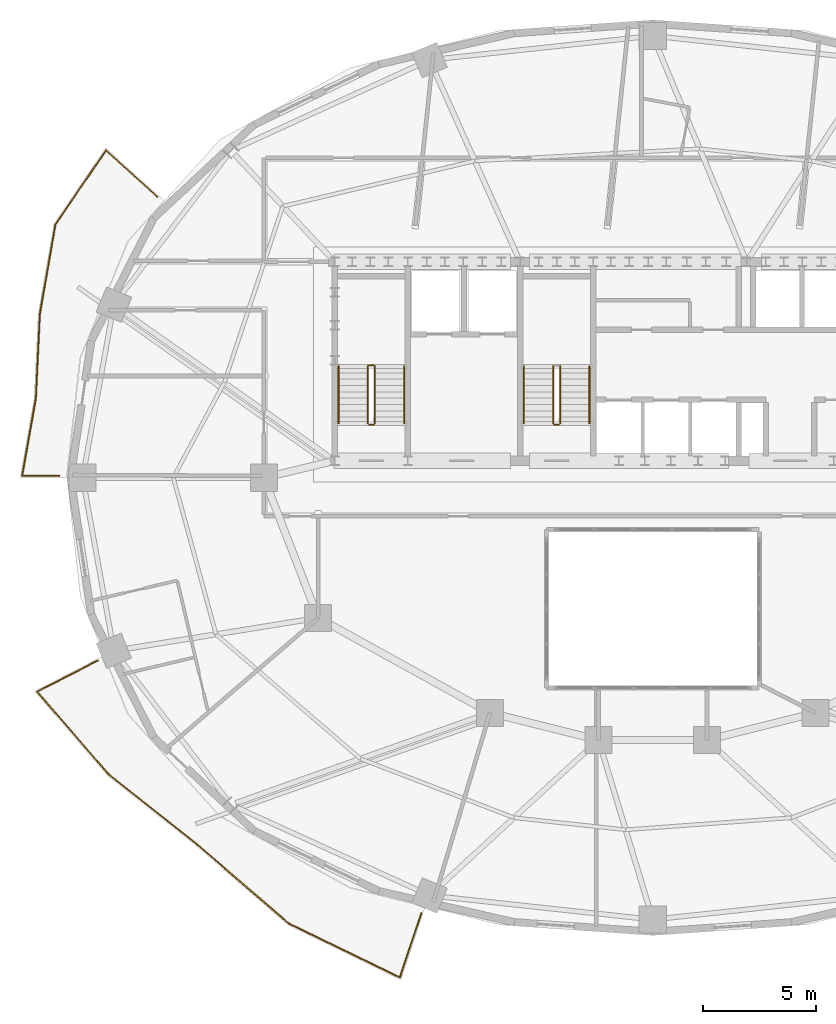
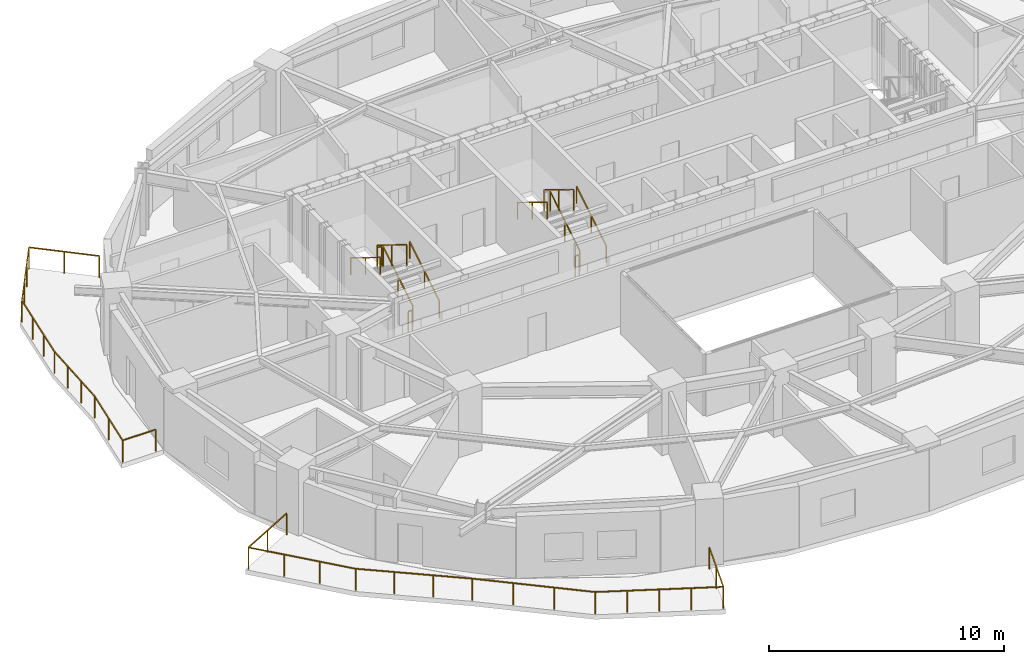
# One storey, part 10 of 13: 13 railings.
"""IFC4 building model written with IfcOpenShell, lengths in metres."""

import ifcopenshell
import ifcopenshell.guid

model = None  # the IFC model being written
_history = None  # IfcOwnerHistory: only IFC2X3 demands one
_inside = {}  # id of a spatial element -> (the spatial element, [elements in it])
_under = {}  # id of a project, library or spatial element -> (it, [spatial elements below it])
_declared = {}  # id of a project -> (the project, [libraries it declares])
_typed = {}  # id of a type object -> (the type object, [elements of that type])
_made_of = {}  # id of a material, layer set ... -> (it, [elements and type objects made of it])


def new_model(schema):
    """Start an empty IFC model of exactly this schema.

    Asked for "IFC4X3", IfcOpenShell would pick the latest addendum, in which some entities
    have other attributes; the version numbers below select the first issue.
    IFC2X3 requires an IfcOwnerHistory on every rooted entity: one is made here for all.
    """
    global model, _history
    if schema == "IFC4X3":
        model = ifcopenshell.file(schema_version=(4, 3, 0, 0))
    else:
        model = ifcopenshell.file(schema=schema)
    _inside.clear()
    _under.clear()
    _declared.clear()
    _typed.clear()
    _made_of.clear()
    _history = None
    if model.schema == "IFC2X3":
        org = make("IfcOrganization", Name="unknown")
        user = make(
            "IfcPersonAndOrganization",
            ThePerson=make("IfcPerson", FamilyName="unknown"),
            TheOrganization=org,
        )
        app = make(
            "IfcApplication",
            ApplicationDeveloper=org,
            Version="unknown",
            ApplicationFullName="unknown",
            ApplicationIdentifier="unknown",
        )
        _history = make(
            "IfcOwnerHistory",
            OwningUser=user,
            OwningApplication=app,
            ChangeAction="ADDED",
            CreationDate=0,
        )
    return model


def make(cls, **values):
    """One entity of the class cls with the attributes given. An attribute that is None is left unset."""
    return model.create_entity(
        cls, **{name: value for name, value in values.items() if value is not None}
    )


def rooted(cls, **values):
    """An entity with a GlobalId (a new one), such as an element, a storey or a relation."""
    return make(cls, GlobalId=ifcopenshell.guid.new(), OwnerHistory=_history, **values)


def si_unit(unit_type, name, prefix=None):
    """IfcSIUnit, for example si_unit("LENGTHUNIT", "METRE", prefix="MILLI")."""
    return make("IfcSIUnit", UnitType=unit_type, Prefix=prefix, Name=name)


def assignment(units):
    """IfcUnitAssignment: the units of a project."""
    return None if units is None else make("IfcUnitAssignment", Units=units)


def point(xyz):
    """IfcCartesianPoint."""
    return None if xyz is None else make("IfcCartesianPoint", Coordinates=xyz)


def direction(xyz):
    """IfcDirection."""
    return None if xyz is None else make("IfcDirection", DirectionRatios=xyz)


def frame(location, z_axis=None, x_axis=None):
    """IfcAxis2Placement3D, a coordinate frame: its origin and axes. An axis left out is left unset."""
    return make(
        "IfcAxis2Placement3D",
        Location=point(location),
        Axis=direction(z_axis),
        RefDirection=direction(x_axis),
    )


def frame_2d(location, x_axis=None):
    """IfcAxis2Placement2D, a coordinate frame in the plane: its origin and x axis."""
    return make(
        "IfcAxis2Placement2D", Location=point(location), RefDirection=direction(x_axis)
    )


def origin():
    """The frame at (0, 0, 0) with its axes left unset."""
    return frame((0.0, 0.0, 0.0))


def origin_2d():
    """The frame at (0, 0) in the plane with its x axis left unset."""
    return frame_2d((0.0, 0.0))


def place(relative_to, where):
    """IfcLocalPlacement: puts the frame where relative to a parent placement (None: the world)."""
    return make(
        "IfcLocalPlacement", PlacementRelTo=relative_to, RelativePlacement=where
    )


def context(
    kind, dimensions, precision=None, world=None, true_north=None, identifier=None
):
    """IfcGeometricRepresentationContext, for example the 3D "Model" context."""
    return make(
        "IfcGeometricRepresentationContext",
        ContextIdentifier=identifier,
        ContextType=kind,
        CoordinateSpaceDimension=dimensions,
        Precision=precision,
        WorldCoordinateSystem=world,
        TrueNorth=true_north,
    )


def subcontext(parent, identifier, kind, view, scale=None):
    """IfcGeometricRepresentationSubContext, for example "Body" below "Model"."""
    return make(
        "IfcGeometricRepresentationSubContext",
        ContextIdentifier=identifier,
        ContextType=kind,
        ParentContext=parent,
        TargetScale=scale,
        TargetView=view,
    )


def project(units=None, contexts=None):
    """IfcProject with its units and contexts."""
    return rooted(
        "IfcProject",
        Name="project",
        RepresentationContexts=contexts,
        UnitsInContext=assignment(units),
    )


def spatial(cls, under=None, at=None, **own):
    """A site, building, storey or space (cls), placed at a placement, below another one or the project."""
    s = rooted(cls, ObjectPlacement=at, **own)
    if under is not None:
        _under.setdefault(under.id(), (under, []))[1].append(s)
    return s


def profile(cls, at=None, kind="AREA", **sizes):
    """A parametric profile (cls). Its sizes go by their IFC names, for example OverallWidth=200.0."""
    return make(cls, ProfileType=kind, Position=at, **sizes)


def rectangle(**sizes):
    """IfcRectangleProfileDef."""
    return profile("IfcRectangleProfileDef", **sizes)


def extrude(swept, where, along, depth):
    """IfcExtrudedAreaSolid: the profile swept, set in the frame where, extruded along a direction by depth."""
    return make(
        "IfcExtrudedAreaSolid",
        SweptArea=swept,
        Position=where,
        ExtrudedDirection=direction(along),
        Depth=depth,
    )


def shape(context_of_items, identifier, shape_type, items):
    """IfcShapeRepresentation: the items that make up one representation, for example the "Body"."""
    return make(
        "IfcShapeRepresentation",
        ContextOfItems=context_of_items,
        RepresentationIdentifier=identifier,
        RepresentationType=shape_type,
        Items=items,
    )


def material(Name=None, Category=None):
    """IfcMaterial."""
    return make("IfcMaterial", Name=Name, Category=Category)


def made_of(thing, what):
    """Note that an element or type object is made of a material, layer set ...; save() writes the relation."""
    if what is not None:
        _made_of.setdefault(what.id(), (what, []))[1].append(thing)
    return thing


def type_object(cls, material=None, **own):
    """A type object (cls), such as IfcWallType, which elements share."""
    return made_of(rooted(cls, **own), material)


def element(
    cls,
    number,
    at=None,
    inside=None,
    cuts=None,
    type_object=None,
    material=None,
    context=None,
    identifier="Body",
    shape_type=None,
    held_by="IfcProductDefinitionShape",
    body=None,
    shapes=None,
    **own,
):
    """One element of the class cls, such as IfcWall. Its Tag is "e" and its number.

    at: its placement. inside: the storey or other place that contains it. cuts: it is an
    opening in that element (IfcRelVoidsElement). A single representation is given by context,
    identifier, shape_type and body (its items); several are given by shapes. held_by: the class
    of the entity that holds the representations. save() writes the other relations.
    """
    e = rooted(cls, Tag="e%d" % number, ObjectPlacement=at, **own)
    if body is not None:
        shapes = [shape(context, identifier, shape_type, body)]
    if shapes is not None:
        e.Representation = make(held_by, Representations=shapes)
    if inside is not None:
        _inside.setdefault(inside.id(), (inside, []))[1].append(e)
    if cuts is not None:
        rooted(
            "IfcRelVoidsElement", RelatingBuildingElement=cuts, RelatedOpeningElement=e
        )
    if type_object is not None:
        _typed.setdefault(type_object.id(), (type_object, []))[1].append(e)
    return made_of(e, material)


def aggregate(whole, parts):
    """IfcRelAggregates: a whole, such as a stair, and the parts it consists of."""
    return rooted("IfcRelAggregates", RelatingObject=whole, RelatedObjects=parts)


def save(model, path):
    """Write the relations noted so far, then the file.

    IfcRelAggregates (storeys below a building ...), IfcRelContainedInSpatialStructure (elements
    in a storey), IfcRelDefinesByType, IfcRelAssociatesMaterial and IfcRelDeclares: one each for
    every whole, place, type object, material and project.
    """
    for whole, parts in _under.values():
        aggregate(whole, parts)
    for where, things in _inside.values():
        rooted(
            "IfcRelContainedInSpatialStructure",
            RelatedElements=things,
            RelatingStructure=where,
        )
    for kind, things in _typed.values():
        rooted("IfcRelDefinesByType", RelatedObjects=things, RelatingType=kind)
    for what, things in _made_of.values():
        rooted("IfcRelAssociatesMaterial", RelatedObjects=things, RelatingMaterial=what)
    for by, libraries in _declared.values():
        rooted("IfcRelDeclares", RelatingContext=by, RelatedDefinitions=libraries)
    model.write(path)


model = new_model("IFC4")

# Units and contexts
model_context = context("Model", 3, precision=1e-05, world=origin(), true_north=direction((0.0, 1.0)))
body_context = subcontext(model_context, "Body", "Model", "MODEL_VIEW")
ifc_project = project(units=[si_unit("LENGTHUNIT", "METRE"), si_unit("AREAUNIT", "SQUARE_METRE"), si_unit("VOLUMEUNIT", "CUBIC_METRE"), si_unit("PLANEANGLEUNIT", "RADIAN"), si_unit("MASSUNIT", "GRAM", prefix="KILO")], contexts=[model_context])

# Site, building, storey
site_placement = place(None, origin())
site = spatial("IfcSite", under=ifc_project, at=site_placement, CompositionType="ELEMENT")
building_placement = place(site_placement, origin())
building = spatial("IfcBuilding", under=site, at=building_placement, Name="Haldorwick Loom Tower", CompositionType="ELEMENT")
storey_placement = place(building_placement, frame((0.0, 0.0, 175.14990234375)))
storey = spatial("IfcBuildingStorey", under=building, at=storey_placement, Name="L47", CompositionType="ELEMENT", Elevation=175.14990234375)

# Railings
ifc_material_1 = material(Name="Galvanized Steel CSA G40.21 350W", Category="steel")
railing_type_1 = type_object("IfcRailingType", Name="ARC-RLG-BAL115", PredefinedType="BALUSTRADE", material=ifc_material_1)
railing_1_placement = place(storey_placement, frame((25.756591796875, 6.728515625, 0.0)))
element("IfcRailing", 1, at=railing_1_placement, inside=storey, type_object=railing_type_1, Name="L47 Outdoor Terrace Guardrail SLB-L47-BAL_SW-1", PredefinedType="BALUSTRADE", context=body_context, shape_type="SweptSolid", body=[
    extrude(rectangle(XDim=0.048095703125, YDim=0.048095703125, at=origin_2d()), frame((0.0, 0.0, 1.1259765625), z_axis=(-0.316522037821, -0.948585156733, 0.0), x_axis=(0.948585156733, -0.316522037821, 0.0)), (0.0, 0.0, 1.0), 2.986572265625),
    extrude(rectangle(XDim=0.048095703125, YDim=0.048095703125, at=origin_2d()), frame((-0.9453125, -2.8330078125, 1.1259765625), z_axis=(-0.899116897768, 0.43770858359, 0.0), x_axis=(-0.43770858359, -0.899116897768, 0.0)), (0.0, 0.0, 1.0), 5.469970703125),
    extrude(rectangle(XDim=0.048095703125, YDim=0.048095703125, at=origin_2d()), frame((-5.863525390625, -0.438720703125, 1.1259765625), z_axis=(-0.757220744918, 0.653159049134, 0.0), x_axis=(-0.653159049134, -0.757220744918, 0.0)), (0.0, 0.0, 1.0), 5.32568359375),
    extrude(rectangle(XDim=0.048095703125, YDim=0.048095703125, at=origin_2d()), frame((-9.896240234375, 3.039794921875, 1.1259765625), z_axis=(-0.773957299203, 0.633237790257, 0.0), x_axis=(-0.633237790257, -0.773957299203, 0.0)), (0.0, 0.0, 1.0), 0.00341796875),
    extrude(rectangle(XDim=0.048095703125, YDim=0.048095703125, at=origin_2d()), frame((-9.89892578125, 3.0419921875, 1.1259765625), z_axis=(-0.783726636091, 0.621105916798, 0.0), x_axis=(-0.621105916798, -0.783726636091, 0.0)), (0.0, 0.0, 1.0), 5.01123046875),
    extrude(rectangle(XDim=0.048095703125, YDim=0.048095703125, at=origin_2d()), frame((-13.826416015625, 6.154541015625, 1.1259765625), z_axis=(-0.654367841929, 0.756176386466, 0.0), x_axis=(-0.756176386466, -0.654367841929, 0.0)), (0.0, 0.0, 1.0), 4.824951171875),
    extrude(rectangle(XDim=0.048095703125, YDim=0.048095703125, at=origin_2d()), frame((-16.983642578125, 9.802978515625, 1.1259765625), z_axis=(0.888510792564, 0.458855719695, 0.0), x_axis=(-0.458855719695, 0.888510792564, 0.0)), (0.0, 0.0, 1.0), 3.009765625),
    extrude(rectangle(XDim=0.0419921875, YDim=0.0419921875, at=origin_2d()), origin(), (0.0, 0.0, 1.0), 1.101806640625),
    extrude(rectangle(XDim=0.0419921875, YDim=0.0419921875, at=origin_2d()), frame((-0.47265625, -1.41650390625, 0.0)), (0.0, 0.0, 1.0), 1.101806640625),
    extrude(rectangle(XDim=0.0419921875, YDim=0.0419921875, at=origin_2d()), frame((-0.9453125, -2.8330078125, 0.0)), (0.0, 0.0, 1.0), 1.101806640625),
    extrude(rectangle(XDim=0.0419921875, YDim=0.0419921875, at=origin_2d()), frame((-2.1748046875, -2.234375, 0.0)), (0.0, 0.0, 1.0), 1.101806640625),
    extrude(rectangle(XDim=0.0419921875, YDim=0.0419921875, at=origin_2d()), frame((-3.404296875, -1.6357421875, 0.0)), (0.0, 0.0, 1.0), 1.101806640625),
    extrude(rectangle(XDim=0.0419921875, YDim=0.0419921875, at=origin_2d()), frame((-4.634033203125, -1.037353515625, 0.0)), (0.0, 0.0, 1.0), 1.101806640625),
    extrude(rectangle(XDim=0.0419921875, YDim=0.0419921875, at=origin_2d()), frame((-5.863525390625, -0.438720703125, 0.0)), (0.0, 0.0, 1.0), 1.101806640625),
    extrude(rectangle(XDim=0.0419921875, YDim=0.0419921875, at=origin_2d()), frame((-7.207763671875, 0.720703125, 0.0)), (0.0, 0.0, 1.0), 1.101806640625),
    extrude(rectangle(XDim=0.0419921875, YDim=0.0419921875, at=origin_2d()), frame((-8.552001953125, 1.88037109375, 0.0)), (0.0, 0.0, 1.0), 1.101806640625),
    extrude(rectangle(XDim=0.0419921875, YDim=0.0419921875, at=origin_2d()), frame((-9.896240234375, 3.039794921875, 0.0)), (0.0, 0.0, 1.0), 1.101806640625),
    extrude(rectangle(XDim=0.0419921875, YDim=0.0419921875, at=origin_2d()), frame((-11.2080078125, 4.07958984375, 0.0)), (0.0, 0.0, 1.0), 1.101806640625),
    extrude(rectangle(XDim=0.0419921875, YDim=0.0419921875, at=origin_2d()), frame((-12.517333984375, 5.116943359375, 0.0)), (0.0, 0.0, 1.0), 1.101806640625),
    extrude(rectangle(XDim=0.0419921875, YDim=0.0419921875, at=origin_2d()), frame((-13.826416015625, 6.154541015625, 0.0)), (0.0, 0.0, 1.0), 1.101806640625),
    extrude(rectangle(XDim=0.0419921875, YDim=0.0419921875, at=origin_2d()), frame((-14.87890625, 7.37060546875, 0.0)), (0.0, 0.0, 1.0), 1.101806640625),
    extrude(rectangle(XDim=0.0419921875, YDim=0.0419921875, at=origin_2d()), frame((-15.93115234375, 8.5869140625, 0.0)), (0.0, 0.0, 1.0), 1.101806640625),
    extrude(rectangle(XDim=0.0419921875, YDim=0.0419921875, at=origin_2d()), frame((-16.983642578125, 9.802978515625, 0.0)), (0.0, 0.0, 1.0), 1.101806640625),
    extrude(rectangle(XDim=0.0419921875, YDim=0.0419921875, at=origin_2d()), frame((-15.646484375, 10.49365234375, 0.0)), (0.0, 0.0, 1.0), 1.101806640625),
    extrude(rectangle(XDim=0.0419921875, YDim=0.0419921875, at=origin_2d()), frame((-14.309326171875, 11.18408203125, 0.0)), (0.0, 0.0, 1.0), 1.101806640625),
])
railing_2_placement = place(storey_placement, frame((9.73974609375, 26.080078125, 0.0)))
element("IfcRailing", 2, at=railing_2_placement, inside=storey, type_object=railing_type_1, Name="L47 Outdoor Terrace Guardrail SLB-L47-BAL_WNW-1", PredefinedType="BALUSTRADE", context=body_context, shape_type="SweptSolid", body=[
    extrude(rectangle(XDim=0.048095703125, YDim=0.048095703125, at=origin_2d()), frame((0.0, 0.0, 1.1259765625), z_axis=(-1.0, 0.0, 0.0), x_axis=(0.0, -1.0, 0.0)), (0.0, 0.0, 1.0), 1.633056640625),
    extrude(rectangle(XDim=0.048095703125, YDim=0.048095703125, at=origin_2d()), frame((-1.633056640625, 0.0, 1.1259765625), z_axis=(0.174402362104, 0.984674472144, 0.0), x_axis=(-0.984674472144, 0.174402362104, 0.0)), (0.0, 0.0, 1.0), 3.475830078125),
    extrude(rectangle(XDim=0.048095703125, YDim=0.048095703125, at=origin_2d()), frame((-1.02685546875, 3.422607421875, 1.1259765625), z_axis=(0.118212889785, 0.992988274195, 0.0), x_axis=(-0.992988274195, 0.118212889785, 0.0)), (0.0, 0.0, 1.0), 0.01025390625),
    extrude(rectangle(XDim=0.048095703125, YDim=0.048095703125, at=origin_2d()), frame((-1.025634765625, 3.432861328125, 1.1259765625), z_axis=(0.047350743594, 0.998878324463, 0.0), x_axis=(-0.998878324463, 0.047350743594, 0.0)), (0.0, 0.0, 1.0), 3.73291015625),
    extrude(rectangle(XDim=0.048095703125, YDim=0.048095703125, at=origin_2d()), frame((-0.848876953125, 7.16162109375, 1.1259765625), z_axis=(0.171625353709, 0.985162290166, 0.0), x_axis=(-0.985162290166, 0.171625353709, 0.0)), (0.0, 0.0, 1.0), 4.0244140625),
    extrude(rectangle(XDim=0.048095703125, YDim=0.048095703125, at=origin_2d()), frame((-0.158203125, 11.126220703125, 1.1259765625), z_axis=(0.563872418529, 0.825861910747, 0.0), x_axis=(-0.825861910747, 0.563872418529, 0.0)), (0.0, 0.0, 1.0), 3.95947265625),
    extrude(rectangle(XDim=0.048095703125, YDim=0.048095703125, at=origin_2d()), frame((2.074462890625, 14.396240234375, 1.1259765625), z_axis=(0.741530121313, -0.670919577286, 0.0), x_axis=(0.670919577286, 0.741530121313, 0.0)), (0.0, 0.0, 1.0), 3.06689453125),
    extrude(rectangle(XDim=0.0419921875, YDim=0.0419921875, at=origin_2d()), origin(), (0.0, 0.0, 1.0), 1.101806640625),
    extrude(rectangle(XDim=0.0419921875, YDim=0.0419921875, at=origin_2d()), frame((-1.633056640625, 0.0, 0.0)), (0.0, 0.0, 1.0), 1.101806640625),
    extrude(rectangle(XDim=0.0419921875, YDim=0.0419921875, at=origin_2d()), frame((-1.330078125, 1.71142578125, 0.0)), (0.0, 0.0, 1.0), 1.101806640625),
    extrude(rectangle(XDim=0.0419921875, YDim=0.0419921875, at=origin_2d()), frame((-1.02685546875, 3.422607421875, 0.0)), (0.0, 0.0, 1.0), 1.101806640625),
    extrude(rectangle(XDim=0.0419921875, YDim=0.0419921875, at=origin_2d()), frame((-0.966796875, 4.67578125, 0.0)), (0.0, 0.0, 1.0), 1.101806640625),
    extrude(rectangle(XDim=0.0419921875, YDim=0.0419921875, at=origin_2d()), frame((-0.90771484375, 5.918701171875, 0.0)), (0.0, 0.0, 1.0), 1.101806640625),
    extrude(rectangle(XDim=0.0419921875, YDim=0.0419921875, at=origin_2d()), frame((-0.848876953125, 7.16162109375, 0.0)), (0.0, 0.0, 1.0), 1.101806640625),
    extrude(rectangle(XDim=0.0419921875, YDim=0.0419921875, at=origin_2d()), frame((-0.61865234375, 8.483154296875, 0.0)), (0.0, 0.0, 1.0), 1.101806640625),
    extrude(rectangle(XDim=0.0419921875, YDim=0.0419921875, at=origin_2d()), frame((-0.388427734375, 9.8046875, 0.0)), (0.0, 0.0, 1.0), 1.101806640625),
    extrude(rectangle(XDim=0.0419921875, YDim=0.0419921875, at=origin_2d()), frame((-0.158203125, 11.126220703125, 0.0)), (0.0, 0.0, 1.0), 1.101806640625),
    extrude(rectangle(XDim=0.0419921875, YDim=0.0419921875, at=origin_2d()), frame((0.5859375, 12.21630859375, 0.0)), (0.0, 0.0, 1.0), 1.101806640625),
    extrude(rectangle(XDim=0.0419921875, YDim=0.0419921875, at=origin_2d()), frame((1.330322265625, 13.30615234375, 0.0)), (0.0, 0.0, 1.0), 1.101806640625),
    extrude(rectangle(XDim=0.0419921875, YDim=0.0419921875, at=origin_2d()), frame((2.074462890625, 14.396240234375, 0.0)), (0.0, 0.0, 1.0), 1.101806640625),
    extrude(rectangle(XDim=0.0419921875, YDim=0.0419921875, at=origin_2d()), frame((3.21142578125, 13.367431640625, 0.0)), (0.0, 0.0, 1.0), 1.101806640625),
    extrude(rectangle(XDim=0.0419921875, YDim=0.0419921875, at=origin_2d()), frame((4.3486328125, 12.338623046875, 0.0)), (0.0, 0.0, 1.0), 1.101806640625),
])
ifc_material_2 = material(Name="Steel CSA G40.21 350W", Category="steel")
railing_type_2 = type_object("IfcRailingType", Name="ARC-RLG-GUARD112", PredefinedType="GUARDRAIL", material=ifc_material_2)
railing_3_placement = place(storey_placement, frame((23.699951171875, 28.39990234375, 0.172607421875)))
element("IfcRailing", 3, at=railing_3_placement, inside=storey, type_object=railing_type_2, Name="L47 ST-01 stair guard 1", PredefinedType="GUARDRAIL", context=body_context, shape_type="SweptSolid", body=[
    extrude(rectangle(XDim=0.048095703125, YDim=0.048095703125, at=origin_2d()), frame((0.0, 0.0, 1.076171875), z_axis=(0.0, 0.851400495292, 0.524516154772), x_axis=(-1.0, 0.0, 0.0)), (0.0, 0.0, 1.0), 2.9599609375),
    extrude(rectangle(XDim=0.0419921875, YDim=0.0419921875, at=origin_2d()), origin(), (0.0, 0.0, 1.0), 1.052001953125),
    extrude(rectangle(XDim=0.0419921875, YDim=0.0419921875, at=origin_2d()), frame((0.0, 1.260009765625, 0.7763671875)), (0.0, 0.0, 1.0), 1.052001953125),
    extrude(rectangle(XDim=0.0419921875, YDim=0.0419921875, at=origin_2d()), frame((0.0, 2.52001953125, 1.552490234375)), (0.0, 0.0, 1.0), 1.052001953125),
])
railing_4_placement = place(storey_placement, frame((23.64990234375, 30.969970703125, 1.72509765625)))
element("IfcRailing", 4, at=railing_4_placement, inside=storey, type_object=railing_type_2, Name="L47 ST-01 stair guard 2", PredefinedType="GUARDRAIL", context=body_context, shape_type="SweptSolid", body=[
    extrude(rectangle(XDim=0.048095703125, YDim=0.048095703125, at=origin_2d()), frame((0.0, 0.0, 1.076171875), z_axis=(-1.0, 0.0, 0.0), x_axis=(0.0, -1.0, 0.0)), (0.0, 0.0, 1.0), 0.199951171875),
    extrude(rectangle(XDim=0.0419921875, YDim=0.0419921875, at=origin_2d()), origin(), (0.0, 0.0, 1.0), 1.052001953125),
    extrude(rectangle(XDim=0.0419921875, YDim=0.0419921875, at=origin_2d()), frame((-0.199951171875, 0.0, 0.0)), (0.0, 0.0, 1.0), 1.052001953125),
])
railing_5_placement = place(storey_placement, frame((23.39990234375, 30.919921875, 1.897705078125)))
element("IfcRailing", 5, at=railing_5_placement, inside=storey, type_object=railing_type_2, Name="L47 ST-01 stair guard 3", PredefinedType="GUARDRAIL", context=body_context, shape_type="SweptSolid", body=[
    extrude(rectangle(XDim=0.048095703125, YDim=0.048095703125, at=origin_2d()), frame((0.0, 0.0, 1.076171875), z_axis=(0.0, -0.851400495292, 0.524516154772), x_axis=(1.0, 0.0, 0.0)), (0.0, 0.0, 1.0), 2.9599609375),
    extrude(rectangle(XDim=0.0419921875, YDim=0.0419921875, at=origin_2d()), origin(), (0.0, 0.0, 1.0), 1.052001953125),
    extrude(rectangle(XDim=0.0419921875, YDim=0.0419921875, at=origin_2d()), frame((0.0, -1.260009765625, 0.7763671875)), (0.0, 0.0, 1.0), 1.052001953125),
    extrude(rectangle(XDim=0.0419921875, YDim=0.0419921875, at=origin_2d()), frame((0.0, -2.52001953125, 1.552490234375)), (0.0, 0.0, 1.0), 1.052001953125),
])
railing_6_placement = place(storey_placement, frame((23.64990234375, 28.35009765625, 0.0)))
element("IfcRailing", 6, at=railing_6_placement, inside=storey, type_object=railing_type_2, Name="L47 ST-01 stair guard 4", PredefinedType="GUARDRAIL", context=body_context, shape_type="SweptSolid", body=[
    extrude(rectangle(XDim=0.048095703125, YDim=0.048095703125, at=origin_2d()), frame((0.0, 0.0, 1.076171875), z_axis=(-1.0, 0.0, 0.0), x_axis=(0.0, -1.0, 0.0)), (0.0, 0.0, 1.0), 0.199951171875),
    extrude(rectangle(XDim=0.0419921875, YDim=0.0419921875, at=origin_2d()), origin(), (0.0, 0.0, 1.0), 1.052001953125),
    extrude(rectangle(XDim=0.0419921875, YDim=0.0419921875, at=origin_2d()), frame((-0.199951171875, 0.0, 0.0)), (0.0, 0.0, 1.0), 1.052001953125),
])
railing_7_placement = place(storey_placement, frame((31.89990234375, 28.39990234375, 0.172607421875)))
element("IfcRailing", 7, at=railing_7_placement, inside=storey, type_object=railing_type_2, Name="L47 ST-03 stair guard 1", PredefinedType="GUARDRAIL", context=body_context, shape_type="SweptSolid", body=[
    extrude(rectangle(XDim=0.048095703125, YDim=0.048095703125, at=origin_2d()), frame((0.0, 0.0, 1.076171875), z_axis=(0.0, 0.851400495292, 0.524516154772), x_axis=(-1.0, 0.0, 0.0)), (0.0, 0.0, 1.0), 2.9599609375),
    extrude(rectangle(XDim=0.0419921875, YDim=0.0419921875, at=origin_2d()), origin(), (0.0, 0.0, 1.0), 1.052001953125),
    extrude(rectangle(XDim=0.0419921875, YDim=0.0419921875, at=origin_2d()), frame((0.0, 1.260009765625, 0.7763671875)), (0.0, 0.0, 1.0), 1.052001953125),
    extrude(rectangle(XDim=0.0419921875, YDim=0.0419921875, at=origin_2d()), frame((0.0, 2.52001953125, 1.552490234375)), (0.0, 0.0, 1.0), 1.052001953125),
])
railing_8_placement = place(storey_placement, frame((31.60009765625, 30.919921875, 1.897705078125)))
element("IfcRailing", 8, at=railing_8_placement, inside=storey, type_object=railing_type_2, Name="L47 ST-03 stair guard 3", PredefinedType="GUARDRAIL", context=body_context, shape_type="SweptSolid", body=[
    extrude(rectangle(XDim=0.048095703125, YDim=0.048095703125, at=origin_2d()), frame((0.0, 0.0, 1.076171875), z_axis=(0.0, -0.851400495292, 0.524516154772), x_axis=(1.0, 0.0, 0.0)), (0.0, 0.0, 1.0), 2.9599609375),
    extrude(rectangle(XDim=0.0419921875, YDim=0.0419921875, at=origin_2d()), origin(), (0.0, 0.0, 1.0), 1.052001953125),
    extrude(rectangle(XDim=0.0419921875, YDim=0.0419921875, at=origin_2d()), frame((0.0, -1.260009765625, 0.7763671875)), (0.0, 0.0, 1.0), 1.052001953125),
    extrude(rectangle(XDim=0.0419921875, YDim=0.0419921875, at=origin_2d()), frame((0.0, -2.52001953125, 1.552490234375)), (0.0, 0.0, 1.0), 1.052001953125),
])
railing_9_placement = place(storey_placement, frame((31.85009765625, 28.35009765625, 0.0)))
element("IfcRailing", 9, at=railing_9_placement, inside=storey, type_object=railing_type_2, Name="L47 ST-03 stair guard 4", PredefinedType="GUARDRAIL", context=body_context, shape_type="SweptSolid", body=[
    extrude(rectangle(XDim=0.048095703125, YDim=0.048095703125, at=origin_2d()), frame((0.0, 0.0, 1.076171875), z_axis=(-1.0, 0.0, 0.0), x_axis=(0.0, -1.0, 0.0)), (0.0, 0.0, 1.0), 0.2001953125),
    extrude(rectangle(XDim=0.0419921875, YDim=0.0419921875, at=origin_2d()), origin(), (0.0, 0.0, 1.0), 1.052001953125),
    extrude(rectangle(XDim=0.0419921875, YDim=0.0419921875, at=origin_2d()), frame((-0.2001953125, 0.0, 0.0)), (0.0, 0.0, 1.0), 1.052001953125),
])
railing_type_3 = type_object("IfcRailingType", Name="ARC-RLG-HAND092", PredefinedType="HANDRAIL", material=ifc_material_2)
railing_10_placement = place(storey_placement, frame((25.0, 28.39990234375, 0.172607421875)))
element("IfcRailing", 10, at=railing_10_placement, inside=storey, type_object=railing_type_3, Name="L47 ST-01 stair handrail 1", PredefinedType="HANDRAIL", context=body_context, shape_type="SweptSolid", body=[
    extrude(rectangle(XDim=0.048095703125, YDim=0.048095703125, at=origin_2d()), frame((0.0, 0.0, 0.8759765625), z_axis=(0.0, 0.851400495292, 0.524516154772), x_axis=(-1.0, 0.0, 0.0)), (0.0, 0.0, 1.0), 2.9599609375),
    extrude(rectangle(XDim=0.0419921875, YDim=0.0419921875, at=origin_2d()), origin(), (0.0, 0.0, 1.0), 0.851806640625),
    extrude(rectangle(XDim=0.0419921875, YDim=0.0419921875, at=origin_2d()), frame((0.0, 1.260009765625, 0.7763671875)), (0.0, 0.0, 1.0), 0.851806640625),
    extrude(rectangle(XDim=0.0419921875, YDim=0.0419921875, at=origin_2d()), frame((0.0, 2.52001953125, 1.552490234375)), (0.0, 0.0, 1.0), 0.851806640625),
])
railing_11_placement = place(storey_placement, frame((22.10009765625, 30.919921875, 1.897705078125)))
element("IfcRailing", 11, at=railing_11_placement, inside=storey, type_object=railing_type_3, Name="L47 ST-01 stair handrail 2", PredefinedType="HANDRAIL", context=body_context, shape_type="SweptSolid", body=[
    extrude(rectangle(XDim=0.048095703125, YDim=0.048095703125, at=origin_2d()), frame((0.0, 0.0, 0.8759765625), z_axis=(0.0, -0.851400495292, 0.524516154772), x_axis=(1.0, 0.0, 0.0)), (0.0, 0.0, 1.0), 2.9599609375),
    extrude(rectangle(XDim=0.0419921875, YDim=0.0419921875, at=origin_2d()), origin(), (0.0, 0.0, 1.0), 0.851806640625),
    extrude(rectangle(XDim=0.0419921875, YDim=0.0419921875, at=origin_2d()), frame((0.0, -1.260009765625, 0.7763671875)), (0.0, 0.0, 1.0), 0.851806640625),
    extrude(rectangle(XDim=0.0419921875, YDim=0.0419921875, at=origin_2d()), frame((0.0, -2.52001953125, 1.552490234375)), (0.0, 0.0, 1.0), 0.851806640625),
])
railing_12_placement = place(storey_placement, frame((33.199951171875, 28.39990234375, 0.172607421875)))
element("IfcRailing", 12, at=railing_12_placement, inside=storey, type_object=railing_type_3, Name="L47 ST-03 stair handrail 1", PredefinedType="HANDRAIL", context=body_context, shape_type="SweptSolid", body=[
    extrude(rectangle(XDim=0.048095703125, YDim=0.048095703125, at=origin_2d()), frame((0.0, 0.0, 0.8759765625), z_axis=(0.0, 0.851400495292, 0.524516154772), x_axis=(-1.0, 0.0, 0.0)), (0.0, 0.0, 1.0), 2.9599609375),
    extrude(rectangle(XDim=0.0419921875, YDim=0.0419921875, at=origin_2d()), origin(), (0.0, 0.0, 1.0), 0.851806640625),
    extrude(rectangle(XDim=0.0419921875, YDim=0.0419921875, at=origin_2d()), frame((0.0, 1.260009765625, 0.7763671875)), (0.0, 0.0, 1.0), 0.851806640625),
    extrude(rectangle(XDim=0.0419921875, YDim=0.0419921875, at=origin_2d()), frame((0.0, 2.52001953125, 1.552490234375)), (0.0, 0.0, 1.0), 0.851806640625),
])
railing_13_placement = place(storey_placement, frame((30.300048828125, 30.919921875, 1.897705078125)))
element("IfcRailing", 13, at=railing_13_placement, inside=storey, type_object=railing_type_3, Name="L47 ST-03 stair handrail 2", PredefinedType="HANDRAIL", context=body_context, shape_type="SweptSolid", body=[
    extrude(rectangle(XDim=0.048095703125, YDim=0.048095703125, at=origin_2d()), frame((0.0, 0.0, 0.8759765625), z_axis=(0.0, -0.851400495292, 0.524516154772), x_axis=(1.0, 0.0, 0.0)), (0.0, 0.0, 1.0), 2.9599609375),
    extrude(rectangle(XDim=0.0419921875, YDim=0.0419921875, at=origin_2d()), origin(), (0.0, 0.0, 1.0), 0.851806640625),
    extrude(rectangle(XDim=0.0419921875, YDim=0.0419921875, at=origin_2d()), frame((0.0, -1.260009765625, 0.7763671875)), (0.0, 0.0, 1.0), 0.851806640625),
    extrude(rectangle(XDim=0.0419921875, YDim=0.0419921875, at=origin_2d()), frame((0.0, -2.52001953125, 1.552490234375)), (0.0, 0.0, 1.0), 0.851806640625),
])

save(model, "model.ifc")
